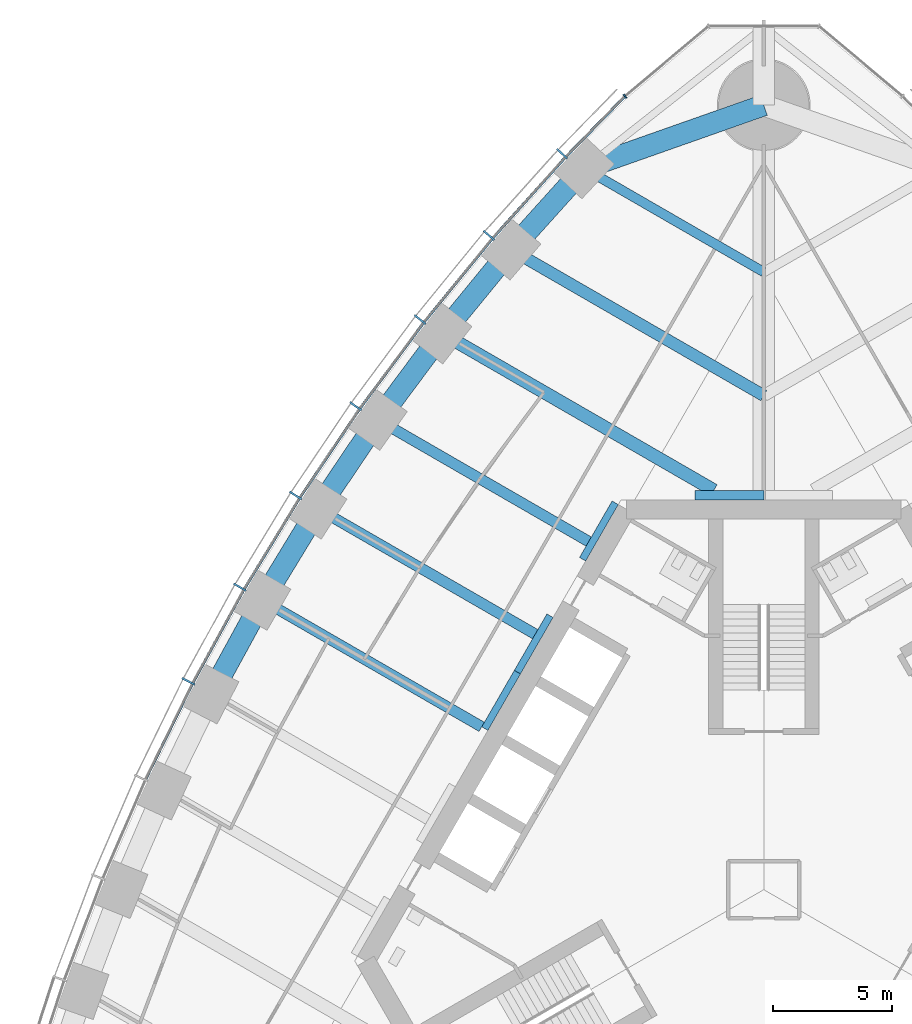
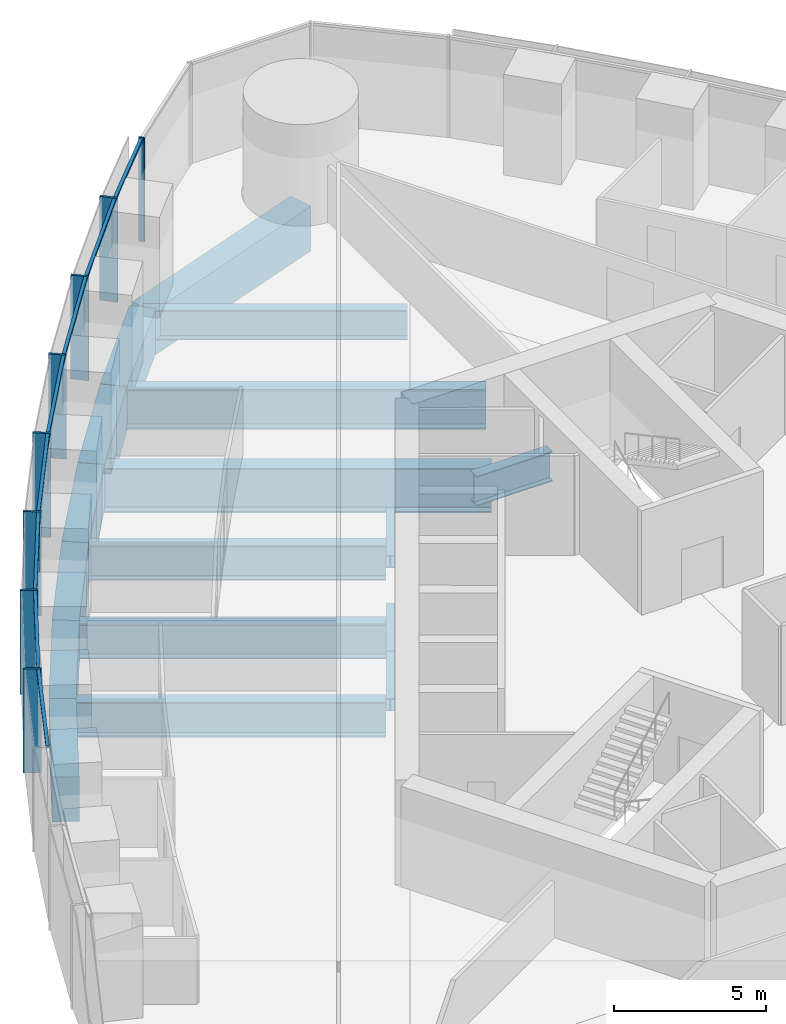
# One storey, part 5 of 19: 17 beams, 16 members, 2 elements without a shape of their own.
"""IFC4 building model written with IfcOpenShell, lengths in metres."""

from ifc_helpers import new_model, si_unit, direction, frame, origin, origin_2d, place, context, subcontext, project, spatial, rectangle, i_section, extrude, material, material_profile, profile_set, type_object, element, aggregate, save


model = new_model("IFC4")

# Units and contexts
model_context = context("Model", 3, precision=1e-05, world=origin(), true_north=direction((0.0, 1.0)))
body_context = subcontext(model_context, "Body", "Model", "MODEL_VIEW")
ifc_project = project(units=[si_unit("LENGTHUNIT", "METRE"), si_unit("AREAUNIT", "SQUARE_METRE"), si_unit("VOLUMEUNIT", "CUBIC_METRE"), si_unit("PLANEANGLEUNIT", "RADIAN"), si_unit("MASSUNIT", "GRAM", prefix="KILO")], contexts=[model_context])

# Site, building, storey
site_placement = place(None, origin())
site = spatial("IfcSite", under=ifc_project, at=site_placement, CompositionType="ELEMENT")
building_placement = place(site_placement, origin())
building = spatial("IfcBuilding", under=site, at=building_placement, Name="Trefoil Bronze Tower", CompositionType="ELEMENT")
storey_placement = place(building_placement, frame((0.0, 0.0, 193.89990234375)))
storey = spatial("IfcBuildingStorey", under=building, at=storey_placement, Name="L44", CompositionType="ELEMENT", Elevation=193.89990234375)

# Curtain wall, members
ifc_material_1 = material(Name="Tinted solar-control glass", Category="glass")
curtain_wall_type_1 = type_object("IfcCurtainWallType", Name="Bronze office curtain wall", PredefinedType="USERDEFINED", material=ifc_material_1)
curtain_wall_1_placement = place(storey_placement, origin())
curtain_wall_1 = element("IfcCurtainWall", 1, at=curtain_wall_1_placement, inside=storey, type_object=curtain_wall_type_1, Name="CW-A L44 F3", ObjectType="CURTAIN WALL", PredefinedType="USERDEFINED")
ifc_material_2 = material(Name="Bronze-finish aluminium", Category="aluminium")
ifc_material_profile_1 = material_profile(ifc_material_2, rectangle(XDim=0.60009765625, YDim=0.080078125, at=origin_2d()), Name="CW-A mullion")
ifc_profile_set_1 = profile_set([ifc_material_profile_1], Name="Bronze-finish aluminium")
member_type_1 = type_object("IfcMemberType", Name="Bronze office curtain wall mullion", PredefinedType="MULLION", material=ifc_profile_set_1)
member_1_placement = place(storey_placement, frame((-8.482177734375, 30.95654296875, 0.0), z_axis=(0.0, 0.0, 1.0), x_axis=(0.729859580661, -0.683597098091, 0.0)))
member_1 = element("IfcMember", 2, at=member_1_placement, type_object=member_type_1, Name="CW-A L44 F3 mullion 2", PredefinedType="MULLION", context=body_context, shape_type="SweptSolid", body=[
    extrude(rectangle(XDim=0.60009765625, YDim=0.080078125, at=origin_2d()), origin(), (0.0, 0.0, 1.0), 4.18017578125),
])
member_2_placement = place(storey_placement, frame((-11.564697265625, 27.525146484375, 0.0), z_axis=(0.0, 0.0, 1.0), x_axis=(0.75935470958, -0.650676897576, 0.0)))
member_2 = element("IfcMember", 3, at=member_2_placement, type_object=member_type_1, Name="CW-A L44 F3 mullion 3", PredefinedType="MULLION", context=body_context, shape_type="SweptSolid", body=[
    extrude(rectangle(XDim=0.60009765625, YDim=0.080078125, at=origin_2d()), origin(), (0.0, 0.0, 1.0), 4.18017578125),
])
member_3_placement = place(storey_placement, frame((-14.45849609375, 23.98388671875, 0.0), z_axis=(0.0, 0.0, 1.0), x_axis=(0.788821461078, -0.614622406476, 0.0)))
member_3 = element("IfcMember", 4, at=member_3_placement, type_object=member_type_1, Name="CW-A L44 F3 mullion 4", PredefinedType="MULLION", context=body_context, shape_type="SweptSolid", body=[
    extrude(rectangle(XDim=0.60009765625, YDim=0.080078125, at=origin_2d()), origin(), (0.0, 0.0, 1.0), 4.18017578125),
])
member_4_placement = place(storey_placement, frame((-17.167236328125, 20.335693359375, 0.0), z_axis=(0.0, 0.0, 1.0), x_axis=(0.81640398396, -0.577481198806, 0.0)))
member_4 = element("IfcMember", 5, at=member_4_placement, type_object=member_type_1, Name="CW-A L44 F3 mullion 5", PredefinedType="MULLION", context=body_context, shape_type="SweptSolid", body=[
    extrude(rectangle(XDim=0.60009765625, YDim=0.080078125, at=origin_2d()), origin(), (0.0, 0.0, 1.0), 4.18017578125),
])
member_5_placement = place(storey_placement, frame((-19.694091796875, 16.58251953125, 0.0), z_axis=(0.0, 0.0, 1.0), x_axis=(0.842132664593, -0.539270410114, 0.0)))
member_5 = element("IfcMember", 6, at=member_5_placement, type_object=member_type_1, Name="CW-A L44 F3 mullion 6", PredefinedType="MULLION", context=body_context, shape_type="SweptSolid", body=[
    extrude(rectangle(XDim=0.60009765625, YDim=0.080078125, at=origin_2d()), origin(), (0.0, 0.0, 1.0), 4.18017578125),
])
member_6_placement = place(storey_placement, frame((-22.041015625, 12.725341796875, 0.0), z_axis=(0.0, 0.0, 1.0), x_axis=(0.866025403784, -0.5, 0.0)))
member_6 = element("IfcMember", 7, at=member_6_placement, type_object=member_type_1, Name="CW-A L44 F3 mullion 7", PredefinedType="MULLION", context=body_context, shape_type="SweptSolid", body=[
    extrude(rectangle(XDim=0.60009765625, YDim=0.080078125, at=origin_2d()), origin(), (0.0, 0.0, 1.0), 4.18017578125),
])
member_7_placement = place(storey_placement, frame((-24.2080078125, 8.764404296875, 0.0), z_axis=(0.0, 0.0, 1.0), x_axis=(0.888088206965, -0.459673075837, 0.0)))
member_7 = element("IfcMember", 8, at=member_7_placement, type_object=member_type_1, Name="CW-A L44 F3 mullion 8", PredefinedType="MULLION", context=body_context, shape_type="SweptSolid", body=[
    extrude(rectangle(XDim=0.60009765625, YDim=0.080078125, at=origin_2d()), origin(), (0.0, 0.0, 1.0), 4.18017578125),
])
ifc_material_3 = material(Name="Bronze-finish aluminium", Category="aluminium")
ifc_material_profile_2 = material_profile(ifc_material_3, rectangle(XDim=0.1201171875, YDim=0.10009765625, at=origin_2d()), Name="CW-A transom")
ifc_profile_set_2 = profile_set([ifc_material_profile_2], Name="Bronze-finish aluminium")
member_type_2 = type_object("IfcMemberType", Name="Bronze office curtain wall transom", PredefinedType="USERDEFINED", material=ifc_profile_set_2)
member_8_placement = place(storey_placement, frame((-5.873046875, 33.342529296875, 4.130126953125), z_axis=(-0.698646935368, -0.715466602785, 0.0), x_axis=(0.715466602785, -0.698646935368, 0.0)))
member_8 = element("IfcMember", 9, at=member_8_placement, type_object=member_type_2, Name="CW-A L44 F3 transom 1", ObjectType="TRANSOM", PredefinedType="USERDEFINED", context=body_context, shape_type="SweptSolid", body=[
    extrude(rectangle(XDim=0.1201171875, YDim=0.10009765625, at=origin_2d()), origin(), (0.0, 0.0, 1.0), 3.483642578125),
])
member_9_placement = place(storey_placement, frame((-8.364501953125, 30.78857421875, 4.130126953125), z_axis=(-0.66825109551, -0.743935799213, 0.0), x_axis=(0.743935799213, -0.66825109551, 0.0)))
member_9 = element("IfcMember", 10, at=member_9_placement, type_object=member_type_2, Name="CW-A L44 F3 transom 2", ObjectType="TRANSOM", PredefinedType="USERDEFINED", context=body_context, shape_type="SweptSolid", body=[
    extrude(rectangle(XDim=0.1201171875, YDim=0.10009765625, at=origin_2d()), origin(), (0.0, 0.0, 1.0), 4.519287109375),
])
member_10_placement = place(storey_placement, frame((-11.439453125, 27.3623046875, 4.130126953125), z_axis=(-0.632756871921, -0.774350528531, 0.0), x_axis=(0.774350528531, -0.632756871921, 0.0)))
member_10 = element("IfcMember", 11, at=member_10_placement, type_object=member_type_2, Name="CW-A L44 F3 transom 3", ObjectType="TRANSOM", PredefinedType="USERDEFINED", context=body_context, shape_type="SweptSolid", body=[
    extrude(rectangle(XDim=0.1201171875, YDim=0.10009765625, at=origin_2d()), origin(), (0.0, 0.0, 1.0), 4.4794921875),
])
member_11_placement = place(storey_placement, frame((-14.325927734375, 23.826904296875, 4.130126953125), z_axis=(-0.59614822717, -0.802874393191, 0.0), x_axis=(0.802874393191, -0.59614822717, 0.0)))
member_11 = element("IfcMember", 12, at=member_11_placement, type_object=member_type_2, Name="CW-A L44 F3 transom 4", ObjectType="TRANSOM", PredefinedType="USERDEFINED", context=body_context, shape_type="SweptSolid", body=[
    extrude(rectangle(XDim=0.1201171875, YDim=0.10009765625, at=origin_2d()), origin(), (0.0, 0.0, 1.0), 4.449951171875),
])
member_12_placement = place(storey_placement, frame((-17.027587890625, 20.18505859375, 4.130126953125), z_axis=(-0.558509087547, -0.829498402125, 0.0), x_axis=(0.829498402125, -0.558509087547, 0.0)))
member_12 = element("IfcMember", 13, at=member_12_placement, type_object=member_type_2, Name="CW-A L44 F3 transom 5", ObjectType="TRANSOM", PredefinedType="USERDEFINED", context=body_context, shape_type="SweptSolid", body=[
    extrude(rectangle(XDim=0.1201171875, YDim=0.10009765625, at=origin_2d()), origin(), (0.0, 0.0, 1.0), 4.4306640625),
])
member_13_placement = place(storey_placement, frame((-19.5478515625, 16.4384765625, 4.130126953125), z_axis=(-0.519740214649, -0.854324358354, 0.0), x_axis=(0.854324358354, -0.519740214649, 0.0)))
member_13 = element("IfcMember", 14, at=member_13_placement, type_object=member_type_2, Name="CW-A L44 F3 transom 6", ObjectType="TRANSOM", PredefinedType="USERDEFINED", context=body_context, shape_type="SweptSolid", body=[
    extrude(rectangle(XDim=0.1201171875, YDim=0.10009765625, at=origin_2d()), origin(), (0.0, 0.0, 1.0), 4.421142578125),
])
member_14_placement = place(storey_placement, frame((-21.887939453125, 12.588134765625, 4.130126953125), z_axis=(-0.479973729071, -0.877282861683, 0.0), x_axis=(0.877282861683, -0.479973729071, 0.0)))
member_14 = element("IfcMember", 15, at=member_14_placement, type_object=member_type_2, Name="CW-A L44 F3 transom 7", ObjectType="TRANSOM", PredefinedType="USERDEFINED", context=body_context, shape_type="SweptSolid", body=[
    extrude(rectangle(XDim=0.1201171875, YDim=0.10009765625, at=origin_2d()), origin(), (0.0, 0.0, 1.0), 4.421142578125),
])
member_15_placement = place(storey_placement, frame((-24.048828125, 8.634521484375, 4.130126953125), z_axis=(-0.439150835991, -0.898413347657, 0.0), x_axis=(0.898413347657, -0.439150835991, 0.0)))
member_15 = element("IfcMember", 16, at=member_15_placement, type_object=member_type_2, Name="CW-A L44 F3 transom 8", ObjectType="TRANSOM", PredefinedType="USERDEFINED", context=body_context, shape_type="SweptSolid", body=[
    extrude(rectangle(XDim=0.1201171875, YDim=0.10009765625, at=origin_2d()), origin(), (0.0, 0.0, 1.0), 4.430908203125),
])
aggregate(curtain_wall_1, [member_1, member_2, member_3, member_4, member_5, member_6, member_7, member_8, member_9, member_10, member_11, member_12, member_13, member_14, member_15])

# Curtain wall, member
ifc_material_4 = material(Name="Tinted solar-control glass", Category="glass")
curtain_wall_type_2 = type_object("IfcCurtainWallType", Name="Bronze rounded corner curtain wall", PredefinedType="USERDEFINED", material=ifc_material_4)
curtain_wall_2_placement = place(storey_placement, origin())
curtain_wall_2 = element("IfcCurtainWall", 17, at=curtain_wall_2_placement, inside=storey, type_object=curtain_wall_type_2, Name="CW-B L44 K2", ObjectType="CURTAIN WALL", PredefinedType="USERDEFINED")
ifc_material_5 = material(Name="Bronze-finish aluminium", Category="aluminium")
ifc_material_profile_3 = material_profile(ifc_material_5, rectangle(XDim=0.199951171875, YDim=0.06005859375, at=origin_2d()), Name="CW-B mullion")
ifc_profile_set_3 = profile_set([ifc_material_profile_3], Name="Bronze-finish aluminium")
member_type_3 = type_object("IfcMemberType", Name="Bronze rounded corner curtain wall mullion", PredefinedType="MULLION", material=ifc_profile_set_3)
member_16_placement = place(storey_placement, frame((-5.837890625, 33.3779296875, 0.0), z_axis=(0.0, 0.0, 1.0), x_axis=(0.642787609687, -0.766044443119, 0.0)))
member_16 = element("IfcMember", 18, at=member_16_placement, type_object=member_type_3, Name="CW-B L44 K2 mullion 4", PredefinedType="MULLION", context=body_context, shape_type="SweptSolid", body=[
    extrude(rectangle(XDim=0.199951171875, YDim=0.06005859375, at=origin_2d()), origin(), (0.0, 0.0, 1.0), 4.18017578125),
])
aggregate(curtain_wall_2, [member_16])

# Beams
ifc_material_6 = material(Name="Steel C355", Category="steel")
ifc_material_profile_4 = material_profile(ifc_material_6, i_section(OverallWidth=0.300048828125, OverallDepth=0.5, WebThickness=0.014404296875, FlangeThickness=0.028076171875, FilletRadius=0.027099609375, at=origin_2d()), Name="HEB 500")
ifc_profile_set_4 = profile_set([ifc_material_profile_4], Name="Steel C355")
beam_type_1 = type_object("IfcBeamType", Name="Core seat beam HEB 500", PredefinedType="BEAM", material=ifc_profile_set_4)
for number, where, z_axis, x_axis, name in (
    (19, (-6.249755859375, 16.27490234375, -0.449951171875), (-0.500035825175, -0.866004719122, 0.0), (0.866004719122, -0.500035825175, 0.0), "Core seat beam F3/-2 L44"),
    (20, (-8.9921875, 11.52490234375, -0.449951171875), (-0.500035825175, -0.866004719122, 0.0), (0.866004719122, -0.500035825175, 0.0), "Core seat beam F3/-1 L44"),
    (21, (-10.363525390625, 9.14990234375, -0.449951171875), (-0.499969057507, -0.866043267704, 0.0), (0.866043267704, -0.499969057507, 0.0), "Core seat beam F3/+0 L44"),
):
    element("IfcBeam", number, at=place(storey_placement, frame(where, z_axis=z_axis, x_axis=x_axis)), inside=storey, type_object=beam_type_1, Name=name, PredefinedType="BEAM", context=body_context, shape_type="SweptSolid", body=[
        extrude(i_section(OverallWidth=0.300048828125, OverallDepth=0.5, WebThickness=0.014404296875, FlangeThickness=0.028076171875, FilletRadius=0.027099609375, at=origin_2d()), origin(), (0.0, 0.0, 1.0), 2.742431640625),
    ])
ifc_material_7 = material(Name="Steel C355", Category="steel")
ifc_material_profile_5 = material_profile(ifc_material_7, i_section(OverallWidth=0.39990234375, OverallDepth=1.199951171875, WebThickness=0.02001953125, FlangeThickness=0.0400390625, FilletRadius=0.010009765625, at=origin_2d()), Name="WPG 1200")
ifc_profile_set_5 = profile_set([ifc_material_profile_5], Name="Steel C355")
beam_type_2 = type_object("IfcBeamType", Name="Core seat beam WPG 1200", PredefinedType="BEAM", material=ifc_profile_set_5)
beam_1_placement = place(storey_placement, frame((0.0, 16.60009765625, -0.7998046875), z_axis=(-1.0, 0.0, 0.0), x_axis=(0.0, -1.0, 0.0)))
element("IfcBeam", 22, at=beam_1_placement, inside=storey, type_object=beam_type_2, Name="Core seat beam F3/-3 L44", PredefinedType="BEAM", context=body_context, shape_type="SweptSolid", body=[
    extrude(i_section(OverallWidth=0.39990234375, OverallDepth=1.199951171875, WebThickness=0.02001953125, FlangeThickness=0.0400390625, FilletRadius=0.010009765625, at=origin_2d()), origin(), (0.0, 0.0, 1.0), 2.88671875),
])
ifc_material_8 = material(Name="Concrete B80", Category="concrete")
ifc_material_profile_6 = material_profile(ifc_material_8, rectangle(XDim=0.89990234375, YDim=1.800048828125, at=origin_2d()), Name="RC 900x1800")
ifc_profile_set_6 = profile_set([ifc_material_profile_6], Name="Concrete B80")
beam_type_3 = type_object("IfcBeamType", Name="End spandrel beam RC 900x1800", PredefinedType="SPANDREL", material=ifc_profile_set_6)
beam_2_placement = place(storey_placement, frame((0.0, 33.0, -1.099853515625), z_axis=(-0.943234397359, -0.332127794137, 0.0), x_axis=(0.332127794137, -0.943234397359, 0.0)))
element("IfcBeam", 23, at=beam_2_placement, inside=storey, type_object=beam_type_3, Name="Spandrel F3.1 L44", PredefinedType="SPANDREL", context=body_context, shape_type="SweptSolid", body=[
    extrude(rectangle(XDim=0.89990234375, YDim=1.800048828125, at=origin_2d()), origin(), (0.0, 0.0, 1.0), 8.006591796875),
])
ifc_material_9 = material(Name="Steel C355", Category="steel")
ifc_material_profile_7 = material_profile(ifc_material_9, i_section(OverallWidth=0.39990234375, OverallDepth=1.199951171875, WebThickness=0.02001953125, FlangeThickness=0.0400390625, FilletRadius=0.010009765625, at=origin_2d()), Name="WPG 1200")
ifc_profile_set_7 = profile_set([ifc_material_profile_7], Name="Steel C355")
beam_type_4 = type_object("IfcBeamType", Name="Floor beam WPG 1200", PredefinedType="BEAM", material=ifc_profile_set_7)
beam_3_placement = place(storey_placement, frame((-7.552001953125, 30.3408203125, -0.7998046875), z_axis=(0.866027535932, -0.499996306993, 0.0), x_axis=(0.499996306993, 0.866027535932, 0.0)))
element("IfcBeam", 24, at=beam_3_placement, inside=storey, type_object=beam_type_4, Name="Floor beam F3/-5 L44", PredefinedType="BEAM", context=body_context, shape_type="SweptSolid", body=[
    extrude(i_section(OverallWidth=0.39990234375, OverallDepth=1.199951171875, WebThickness=0.02001953125, FlangeThickness=0.0400390625, FilletRadius=0.010009765625, at=origin_2d()), origin(), (0.0, 0.0, 1.0), 8.72021484375),
])
ifc_material_10 = material(Name="Steel C355", Category="steel")
ifc_material_profile_8 = material_profile(ifc_material_10, i_section(OverallWidth=0.449951171875, OverallDepth=1.39990234375, WebThickness=0.02294921875, FlangeThickness=0.044921875, FilletRadius=0.011962890625, at=origin_2d()), Name="WPG 1400")
ifc_profile_set_8 = profile_set([ifc_material_profile_8], Name="Steel C355")
beam_type_5 = type_object("IfcBeamType", Name="Floor beam WPG 1400", PredefinedType="BEAM", material=ifc_profile_set_8)
beam_4_placement = place(storey_placement, frame((-16.2265625, 19.7607421875, -0.89990234375), z_axis=(0.866027856548, -0.499995751665, 0.0), x_axis=(0.499995751665, 0.866027856548, 0.0)))
element("IfcBeam", 25, at=beam_4_placement, inside=storey, type_object=beam_type_5, Name="Floor beam F3/-2 L44", PredefinedType="BEAM", context=body_context, shape_type="SweptSolid", body=[
    extrude(i_section(OverallWidth=0.449951171875, OverallDepth=1.39990234375, WebThickness=0.02294921875, FlangeThickness=0.044921875, FilletRadius=0.011962890625, at=origin_2d()), origin(), (0.0, 0.0, 1.0), 10.23291015625),
])
beam_5_placement = place(storey_placement, frame((-18.748046875, 16.020263671875, -0.89990234375), z_axis=(0.866027918957, -0.499995643569, 0.0), x_axis=(0.499995643569, 0.866027918957, 0.0)))
element("IfcBeam", 26, at=beam_5_placement, inside=storey, type_object=beam_type_5, Name="Floor beam F3/-1 L44", PredefinedType="BEAM", context=body_context, shape_type="SweptSolid", body=[
    extrude(i_section(OverallWidth=0.449951171875, OverallDepth=1.39990234375, WebThickness=0.02294921875, FlangeThickness=0.044921875, FilletRadius=0.011962890625, at=origin_2d()), origin(), (0.0, 0.0, 1.0), 10.54638671875),
])
beam_6_placement = place(storey_placement, frame((-21.08837890625, 12.17529296875, -0.89990234375), z_axis=(0.866034044198, -0.499985034066, 0.0), x_axis=(0.499985034066, 0.866034044198, 0.0)))
element("IfcBeam", 27, at=beam_6_placement, inside=storey, type_object=beam_type_5, Name="Floor beam F3/+0 L44", PredefinedType="BEAM", context=body_context, shape_type="SweptSolid", body=[
    extrude(i_section(OverallWidth=0.449951171875, OverallDepth=1.39990234375, WebThickness=0.02294921875, FlangeThickness=0.044921875, FilletRadius=0.011962890625, at=origin_2d()), origin(), (0.0, 0.0, 1.0), 10.650634765625),
])
ifc_material_11 = material(Name="Steel C355", Category="steel")
ifc_material_profile_9 = material_profile(ifc_material_11, i_section(OverallWidth=0.5, OverallDepth=1.60009765625, WebThickness=0.02587890625, FlangeThickness=0.050048828125, FilletRadius=0.011962890625, at=origin_2d()), Name="WPG 1600")
ifc_profile_set_9 = profile_set([ifc_material_profile_9], Name="Steel C355")
beam_type_6 = type_object("IfcBeamType", Name="Floor beam WPG 1600", PredefinedType="BEAM", material=ifc_profile_set_9)
beam_7_placement = place(storey_placement, frame((-10.632080078125, 26.923095703125, -1.0), z_axis=(0.866025635187, -0.499999599199, 0.0), x_axis=(0.499999599199, 0.866025635187, 0.0)))
element("IfcBeam", 28, at=beam_7_placement, inside=storey, type_object=beam_type_6, Name="Floor beam F3/-4 L44", PredefinedType="BEAM", context=body_context, shape_type="SweptSolid", body=[
    extrude(i_section(OverallWidth=0.5, OverallDepth=1.60009765625, WebThickness=0.02587890625, FlangeThickness=0.050048828125, FilletRadius=0.011962890625, at=origin_2d()), origin(), (0.0, 0.0, 1.0), 12.27685546875),
])
ifc_material_12 = material(Name="Steel C355", Category="steel")
ifc_material_profile_10 = material_profile(ifc_material_12, i_section(OverallWidth=0.550048828125, OverallDepth=1.800048828125, WebThickness=0.029052734375, FlangeThickness=0.054931640625, FilletRadius=0.013916015625, at=origin_2d()), Name="WPG 1800")
ifc_profile_set_10 = profile_set([ifc_material_profile_10], Name="Steel C355")
beam_type_7 = type_object("IfcBeamType", Name="Floor beam WPG 1800", PredefinedType="BEAM", material=ifc_profile_set_10)
beam_8_placement = place(storey_placement, frame((-13.522216796875, 23.3955078125, -1.099853515625), z_axis=(0.866028399451, -0.499994811317, 0.0), x_axis=(0.499994811317, 0.866028399451, 0.0)))
element("IfcBeam", 29, at=beam_8_placement, inside=storey, type_object=beam_type_7, Name="Floor beam F3/-3 L44", PredefinedType="BEAM", context=body_context, shape_type="SweptSolid", body=[
    extrude(i_section(OverallWidth=0.550048828125, OverallDepth=1.800048828125, WebThickness=0.029052734375, FlangeThickness=0.054931640625, FilletRadius=0.013916015625, at=origin_2d()), origin(), (0.0, 0.0, 1.0), 13.191162109375),
])
ifc_material_13 = material(Name="Concrete B80", Category="concrete")
ifc_material_profile_11 = material_profile(ifc_material_13, rectangle(XDim=0.89990234375, YDim=1.800048828125, at=origin_2d()), Name="RC 900x1800")
ifc_profile_set_11 = profile_set([ifc_material_profile_11], Name="Concrete B80")
beam_type_8 = type_object("IfcBeamType", Name="Spandrel beam RC 900x1800", PredefinedType="SPANDREL", material=ifc_profile_set_11)
beam_9_placement = place(storey_placement, frame((-7.552001953125, 30.3408203125, -1.099853515625), z_axis=(-0.669460045872, -0.742848064534, 0.0), x_axis=(0.742848064534, -0.669460045872, 0.0)))
element("IfcBeam", 30, at=beam_9_placement, inside=storey, type_object=beam_type_8, Name="Spandrel F3.2 L44", PredefinedType="SPANDREL", context=body_context, shape_type="SweptSolid", body=[
    extrude(rectangle(XDim=0.89990234375, YDim=1.800048828125, at=origin_2d()), origin(), (0.0, 0.0, 1.0), 4.600830078125),
])
beam_10_placement = place(storey_placement, frame((-10.632080078125, 26.923095703125, -1.099853515625), z_axis=(-0.633753657863, -0.773534938542, 0.0), x_axis=(0.773534938542, -0.633753657863, 0.0)))
element("IfcBeam", 31, at=beam_10_placement, inside=storey, type_object=beam_type_8, Name="Spandrel F3.3 L44", PredefinedType="SPANDREL", context=body_context, shape_type="SweptSolid", body=[
    extrude(rectangle(XDim=0.89990234375, YDim=1.800048828125, at=origin_2d()), origin(), (0.0, 0.0, 1.0), 4.560302734375),
])
beam_11_placement = place(storey_placement, frame((-13.522216796875, 23.3955078125, -1.099853515625), z_axis=(-0.596926078257, -0.802296240236, 0.0), x_axis=(0.802296240236, -0.596926078257, 0.0)))
element("IfcBeam", 32, at=beam_11_placement, inside=storey, type_object=beam_type_8, Name="Spandrel F3.4 L44", PredefinedType="SPANDREL", context=body_context, shape_type="SweptSolid", body=[
    extrude(rectangle(XDim=0.89990234375, YDim=1.800048828125, at=origin_2d()), origin(), (0.0, 0.0, 1.0), 4.530517578125),
])
beam_12_placement = place(storey_placement, frame((-16.2265625, 19.7607421875, -1.099853515625), z_axis=(-0.558964302753, -0.829191719838, 0.0), x_axis=(0.829191719838, -0.558964302753, 0.0)))
element("IfcBeam", 33, at=beam_12_placement, inside=storey, type_object=beam_type_8, Name="Spandrel F3.5 L44", PredefinedType="SPANDREL", context=body_context, shape_type="SweptSolid", body=[
    extrude(rectangle(XDim=0.89990234375, YDim=1.800048828125, at=origin_2d()), origin(), (0.0, 0.0, 1.0), 4.510986328125),
])
for number, where, z_axis, x_axis, name in (
    (34, (-18.748046875, 16.020263671875, -1.099853515625), (-0.519933181394, -0.854206934464, 0.0), (0.854206934464, -0.519933181394, 0.0), "Spandrel F3.6 L44"),
    (35, (-21.08837890625, 12.17529296875, -1.099853515625), (-0.479801903802, -0.87737684783, 0.0), (0.87737684783, -0.479801903802, 0.0), "Spandrel F3.7 L44"),
):
    element("IfcBeam", number, at=place(storey_placement, frame(where, z_axis=z_axis, x_axis=x_axis)), inside=storey, type_object=beam_type_8, Name=name, PredefinedType="SPANDREL", context=body_context, shape_type="SweptSolid", body=[
        extrude(rectangle(XDim=0.89990234375, YDim=1.800048828125, at=origin_2d()), origin(), (0.0, 0.0, 1.0), 4.501220703125),
    ])

save(model, "model.ifc")
